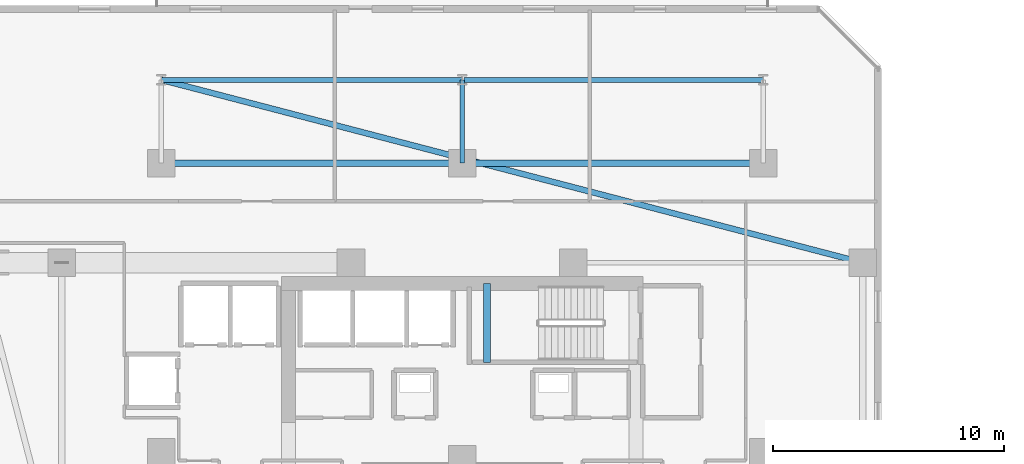
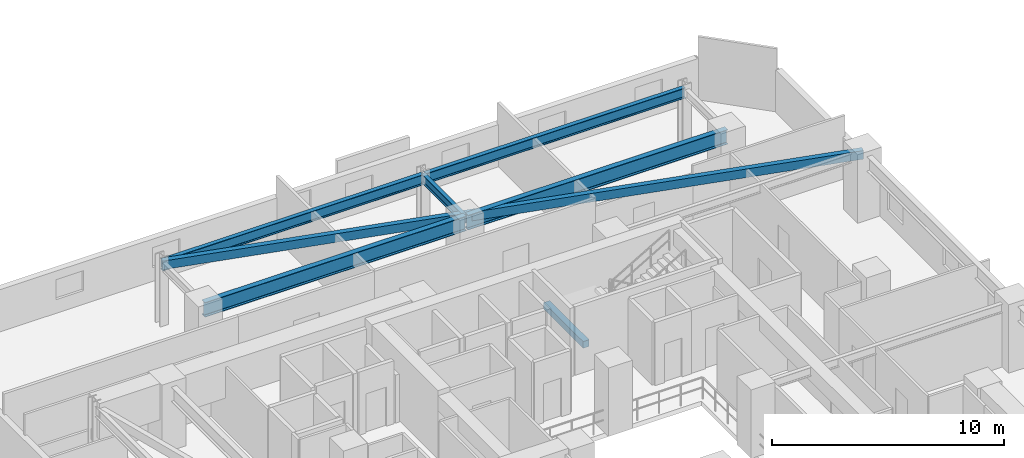
# One storey, part 8 of 36: 7 beams.
"""IFC4 building model written with IfcOpenShell, lengths in metres."""

from ifc_helpers import new_model, si_unit, direction, frame, origin, origin_2d, place, context, subcontext, project, spatial, rectangle, hollow_rectangle, i_section, extrude, material, material_profile, profile_set, type_object, element, save


model = new_model("IFC4")

# Units and contexts
model_context = context("Model", 3, precision=1e-05, world=origin(), true_north=direction((0.0, 1.0)))
body_context = subcontext(model_context, "Body", "Model", "MODEL_VIEW")
ifc_project = project(units=[si_unit("LENGTHUNIT", "METRE"), si_unit("AREAUNIT", "SQUARE_METRE"), si_unit("VOLUMEUNIT", "CUBIC_METRE"), si_unit("PLANEANGLEUNIT", "RADIAN"), si_unit("MASSUNIT", "GRAM", prefix="KILO")], contexts=[model_context])

# Site, building, storey
site_placement = place(None, origin())
site = spatial("IfcSite", under=ifc_project, at=site_placement, CompositionType="ELEMENT")
building_placement = place(site_placement, origin())
building = spatial("IfcBuilding", under=site, at=building_placement, Name="Thornwick Lancets Civic Towers", CompositionType="ELEMENT")
storey_placement = place(building_placement, frame((0.0, 0.0, 116.10009765625)))
storey = spatial("IfcBuildingStorey", under=building, at=storey_placement, Name="L30", CompositionType="ELEMENT", Elevation=116.10009765625)

# Beams
ifc_material_1 = material(Name="Steel S355JR", Category="steel")
ifc_material_profile_1 = material_profile(ifc_material_1, i_section(OverallWidth=0.2119140625, OverallDepth=0.54443359375, WebThickness=0.0126953125, FlangeThickness=0.021240234375, FilletRadius=0.0126953125, at=origin_2d()), Name="UKB 533x210x122")
ifc_profile_set_1 = profile_set([ifc_material_profile_1], Name="Steel S355JR")
beam_type_1 = type_object("IfcBeamType", Name="BM_EDGE_533_122", PredefinedType="SPANDREL", material=ifc_profile_set_1)
beam_1_placement = place(storey_placement, frame((12.5, 47.89990234375, 3.067626953125), z_axis=(1.0, 0.0, 0.0), x_axis=(0.0, 1.0, 0.0)))
element("IfcBeam", 1, at=beam_1_placement, inside=storey, type_object=beam_type_1, Name="BM-EDGE-L30-A-S2-1", PredefinedType="SPANDREL", context=body_context, shape_type="SweptSolid", body=[
    extrude(i_section(OverallWidth=0.2119140625, OverallDepth=0.54443359375, WebThickness=0.0126953125, FlangeThickness=0.021240234375, FilletRadius=0.0126953125, at=origin_2d()), origin(), (0.0, 0.0, 1.0), 13.0),
])
beam_2_placement = place(storey_placement, frame((25.580078125, 47.89990234375, 3.067626953125), z_axis=(1.0, 0.0, 0.0), x_axis=(0.0, 1.0, 0.0)))
element("IfcBeam", 2, at=beam_2_placement, inside=storey, type_object=beam_type_1, Name="BM-EDGE-L30-A-S2-2", PredefinedType="SPANDREL", context=body_context, shape_type="SweptSolid", body=[
    extrude(i_section(OverallWidth=0.2119140625, OverallDepth=0.54443359375, WebThickness=0.0126953125, FlangeThickness=0.021240234375, FilletRadius=0.0126953125, at=origin_2d()), origin(), (0.0, 0.0, 1.0), 12.919921875),
])
ifc_material_profile_2 = material_profile(ifc_material_1, i_section(OverallWidth=0.26806640625, OverallDepth=0.769775390625, WebThickness=0.015625, FlangeThickness=0.025390625, FilletRadius=0.0166015625, at=origin_2d()), Name="UKB 762x267x197")
ifc_profile_set_2 = profile_set([ifc_material_profile_2], Name="Steel S355JR")
beam_type_2 = type_object("IfcBeamType", Name="BM_GIRD_762_197", PredefinedType="BEAM", material=ifc_profile_set_2)
beam_3_placement = place(storey_placement, frame((12.5, 44.300048828125, 2.955078125), z_axis=(1.0, 0.0, 0.0), x_axis=(0.0, 1.0, 0.0)))
element("IfcBeam", 3, at=beam_3_placement, inside=storey, type_object=beam_type_2, Name="BM-SPINE-L30-A-6-7", PredefinedType="BEAM", context=body_context, shape_type="SweptSolid", body=[
    extrude(i_section(OverallWidth=0.26806640625, OverallDepth=0.769775390625, WebThickness=0.015625, FlangeThickness=0.025390625, FilletRadius=0.0166015625, at=origin_2d()), origin(), (0.0, 0.0, 1.0), 13.0),
])
beam_4_placement = place(storey_placement, frame((25.580078125, 44.300048828125, 2.955078125), z_axis=(1.0, 0.0, 0.0), x_axis=(0.0, 1.0, 0.0)))
element("IfcBeam", 4, at=beam_4_placement, inside=storey, type_object=beam_type_2, Name="BM-SPINE-L30-A-7-8", PredefinedType="BEAM", context=body_context, shape_type="SweptSolid", body=[
    extrude(i_section(OverallWidth=0.26806640625, OverallDepth=0.769775390625, WebThickness=0.015625, FlangeThickness=0.025390625, FilletRadius=0.0166015625, at=origin_2d()), origin(), (0.0, 0.0, 1.0), 12.919921875),
])
ifc_material_profile_3 = material_profile(ifc_material_1, i_section(OverallWidth=0.19189453125, OverallDepth=0.46337890625, WebThickness=0.010498046875, FlangeThickness=0.017578125, FilletRadius=0.01025390625, at=origin_2d()), Name="UKB 457x191x89")
ifc_profile_set_3 = profile_set([ifc_material_profile_3], Name="Steel S355JR")
beam_type_3 = type_object("IfcBeamType", Name="BM_JOIST_457_89", PredefinedType="JOIST", material=ifc_profile_set_3)
beam_5_placement = place(storey_placement, frame((25.5, 44.300048828125, 3.108154296875), z_axis=(0.0, 1.0, 0.0), x_axis=(-1.0, 0.0, 0.0)))
element("IfcBeam", 5, at=beam_5_placement, inside=storey, type_object=beam_type_3, Name="BM-RAD-L30-A08", PredefinedType="JOIST", context=body_context, shape_type="SweptSolid", body=[
    extrude(i_section(OverallWidth=0.19189453125, OverallDepth=0.46337890625, WebThickness=0.010498046875, FlangeThickness=0.017578125, FilletRadius=0.01025390625, at=origin_2d()), origin(), (0.0, 0.0, 1.0), 3.599853515625),
])
ifc_material_profile_4 = material_profile(ifc_material_1, hollow_rectangle(XDim=0.25, YDim=0.449951171875, WallThickness=0.01611328125, at=origin_2d()), Name="RHS 450x250x16")
ifc_profile_set_4 = profile_set([ifc_material_profile_4], Name="Steel S355JR")
beam_type_4 = type_object("IfcBeamType", Name="BM_RING_RHS450", PredefinedType="BEAM", material=ifc_profile_set_4)
beam_6_placement = place(storey_placement, frame((42.800048828125, 40.0, 3.114990234375), z_axis=(-0.967652038286, 0.252288590311, 0.0), x_axis=(-0.252288590311, -0.967652038286, 0.0)))
element("IfcBeam", 6, at=beam_6_placement, inside=storey, type_object=beam_type_4, Name="BM-CHAMF-L30-A-C1", PredefinedType="BEAM", context=body_context, shape_type="SweptSolid", body=[
    extrude(hollow_rectangle(XDim=0.25, YDim=0.449951171875, WallThickness=0.01611328125, at=origin_2d()), origin(), (0.0, 0.0, 1.0), 31.31298828125),
])
ifc_material_2 = material(Name="Concrete C40/50", Category="concrete")
ifc_material_profile_5 = material_profile(ifc_material_2, rectangle(XDim=0.300048828125, YDim=0.35009765625, at=origin_2d()), Name="RC 300x350")
ifc_profile_set_5 = profile_set([ifc_material_profile_5], Name="Concrete C40/50")
beam_type_5 = type_object("IfcBeamType", Name="BM_STAIR_LDG", PredefinedType="BEAM", material=ifc_profile_set_5)
beam_7_placement = place(storey_placement, frame((26.56494140625, 39.10009765625, 1.3779296875), z_axis=(0.0, -1.0, 0.0), x_axis=(1.0, 0.0, 0.0)))
element("IfcBeam", 7, at=beam_7_placement, inside=storey, type_object=beam_type_5, Name="L30 ST-A2 Landing Support Beam 1", PredefinedType="BEAM", context=body_context, shape_type="SweptSolid", body=[
    extrude(rectangle(XDim=0.300048828125, YDim=0.35009765625, at=origin_2d()), origin(), (0.0, 0.0, 1.0), 3.400146484375),
])

save(model, "model.ifc")
